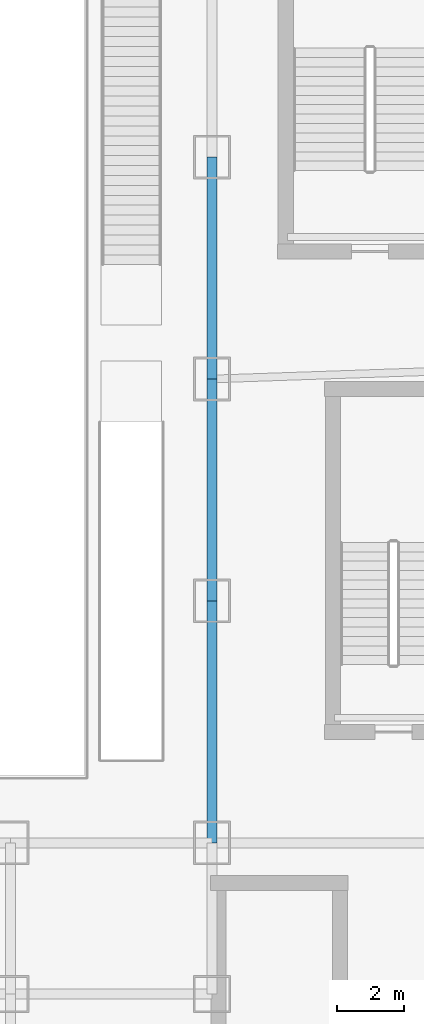
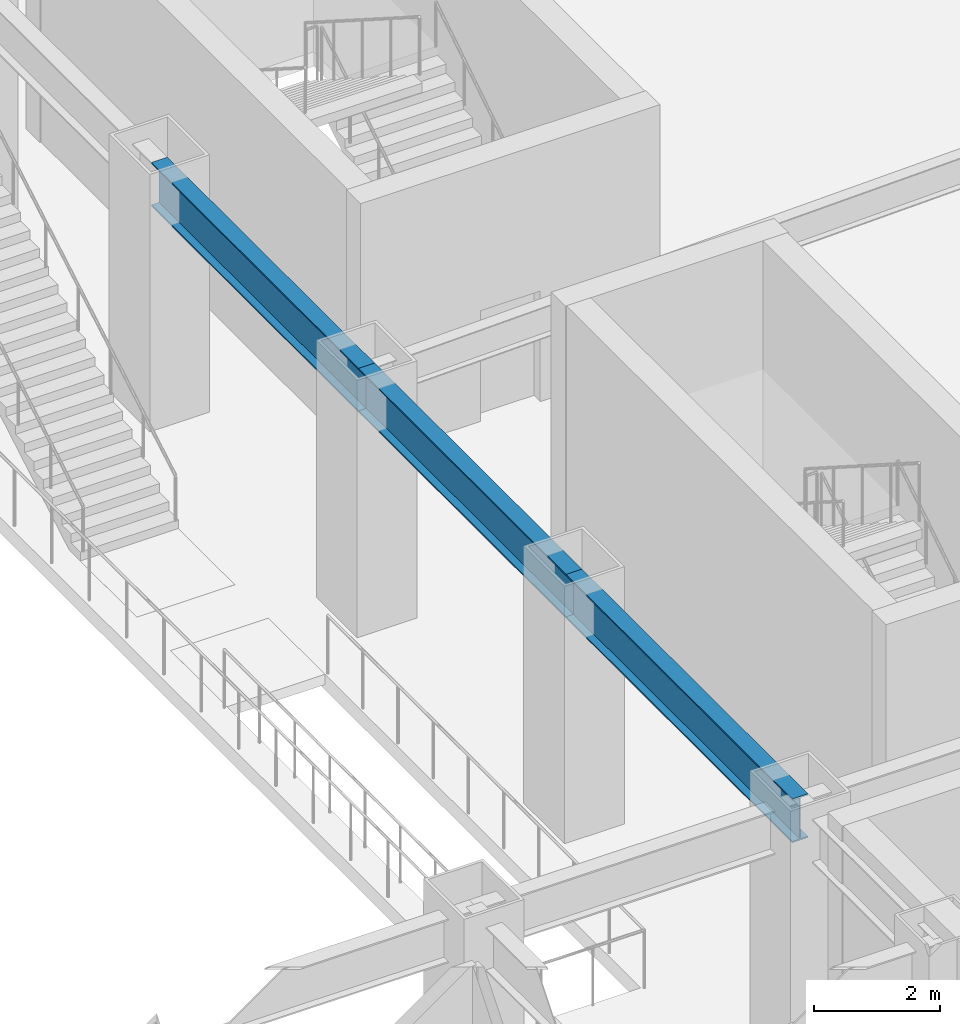
# One storey, part 11 of 40: 3 beams.
"""IFC4 building model written with IfcOpenShell, lengths in metres."""

from ifc_helpers import new_model, si_unit, derived_unit, direction, frame, origin, origin_2d, place, context, subcontext, project, spatial, i_section, extrude, source, transform, mapped, material, material_profile, profile_set, type_object, element, save


model = new_model("IFC4")

# Units and contexts
model_context = context("Model", 3, precision=1e-05, world=origin(), true_north=direction((0.0, 1.0)))
body_context = subcontext(model_context, "Body", "Model", "MODEL_VIEW")
ifc_project = project(units=[si_unit("LENGTHUNIT", "METRE"), si_unit("AREAUNIT", "SQUARE_METRE"), si_unit("VOLUMEUNIT", "CUBIC_METRE"), si_unit("PLANEANGLEUNIT", "RADIAN"), si_unit("MASSUNIT", "GRAM", prefix="KILO"), derived_unit("THERMALTRANSMITTANCEUNIT", [(si_unit("POWERUNIT", "WATT"), 1), (si_unit("LENGTHUNIT", "METRE"), -2), (si_unit("THERMODYNAMICTEMPERATUREUNIT", "KELVIN"), -1)])], contexts=[model_context])

# Site, building, storey
site_placement = place(None, origin())
site = spatial("IfcSite", under=ifc_project, at=site_placement, CompositionType="ELEMENT")
building_placement = place(site_placement, origin())
building = spatial("IfcBuilding", under=site, at=building_placement, Name="Skarnbrae Concourse Arena and Tower", CompositionType="ELEMENT")
storey_placement = place(building_placement, frame((0.0, 0.0, 6.0)))
storey = spatial("IfcBuildingStorey", under=building, at=storey_placement, Name="L01", CompositionType="ELEMENT", Elevation=6.0)

# Beams
ifc_material = material(Name="Steel CSA G40.21 350W", Category="steel")
ifc_material_profile = material_profile(ifc_material, i_section(OverallWidth=0.2939453125, OverallDepth=0.85107421875, WebThickness=0.01611328125, FlangeThickness=0.02685546875, at=origin_2d()), Name="W840X226")
ifc_profile_set = profile_set([ifc_material_profile], Name="Steel CSA G40.21 350W")
beam_type = type_object("IfcBeamType", Name="BM-GIRD-W840X226", PredefinedType="BEAM", material=ifc_profile_set)
shared_shape_1 = source(origin(), body_context, "Body", "SweptSolid", [
    extrude(i_section(OverallWidth=0.2939453125, OverallDepth=0.85107421875, WebThickness=0.01611328125, FlangeThickness=0.02685546875, at=origin_2d()), origin(), (0.0, 0.0, 1.0), 6.60009765625),
])
beam_1_placement = place(storey_placement, frame((61.0, 21.199951171875, 4.2744140625), z_axis=(0.0, 1.0, 0.0), x_axis=(-1.0, 0.0, 0.0)))
element("IfcBeam", 1, at=beam_1_placement, inside=storey, type_object=beam_type, Name="L01 Podium east girder 3", PredefinedType="BEAM", context=body_context, shape_type="MappedRepresentation", body=[
    mapped(shared_shape_1, transform((0.0, 0.0, 0.0))),
])
shared_shape_2 = source(origin(), body_context, "Body", "SweptSolid", [
    extrude(i_section(OverallWidth=0.2939453125, OverallDepth=0.85107421875, WebThickness=0.01611328125, FlangeThickness=0.02685546875, at=origin_2d()), origin(), (0.0, 0.0, 1.0), 7.199951171875),
])
beam_2_placement = place(storey_placement, frame((61.0, 14.0, 4.2744140625), z_axis=(0.0, 1.0, 0.0), x_axis=(-1.0, 0.0, 0.0)))
element("IfcBeam", 2, at=beam_2_placement, inside=storey, type_object=beam_type, Name="L01 Podium east girder 2", PredefinedType="BEAM", context=body_context, shape_type="MappedRepresentation", body=[
    mapped(shared_shape_2, transform((0.0, 0.0, 0.0))),
])
shared_shape_3 = source(origin(), body_context, "Body", "SweptSolid", [
    extrude(i_section(OverallWidth=0.2939453125, OverallDepth=0.85107421875, WebThickness=0.01611328125, FlangeThickness=0.02685546875, at=origin_2d()), origin(), (0.0, 0.0, 1.0), 6.599853515625),
])
beam_3_placement = place(storey_placement, frame((61.0, 27.800048828125, 4.2744140625), z_axis=(0.0, 1.0, 0.0), x_axis=(-1.0, 0.0, 0.0)))
element("IfcBeam", 3, at=beam_3_placement, inside=storey, type_object=beam_type, Name="L01 Podium east girder 4", PredefinedType="BEAM", context=body_context, shape_type="MappedRepresentation", body=[
    mapped(shared_shape_3, transform((0.0, 0.0, 0.0))),
])

save(model, "model.ifc")
